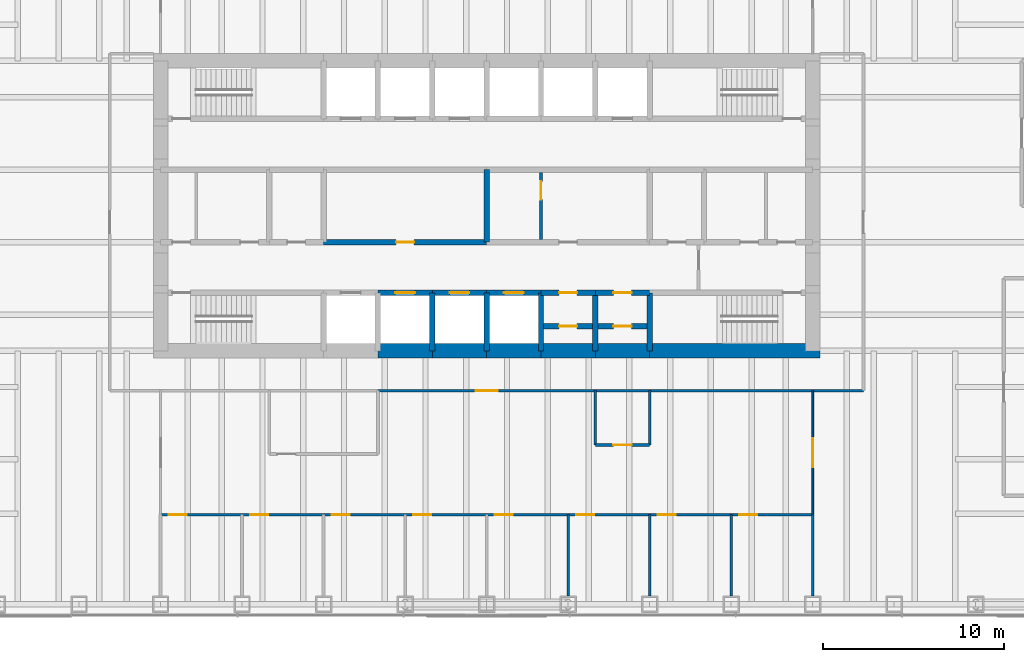
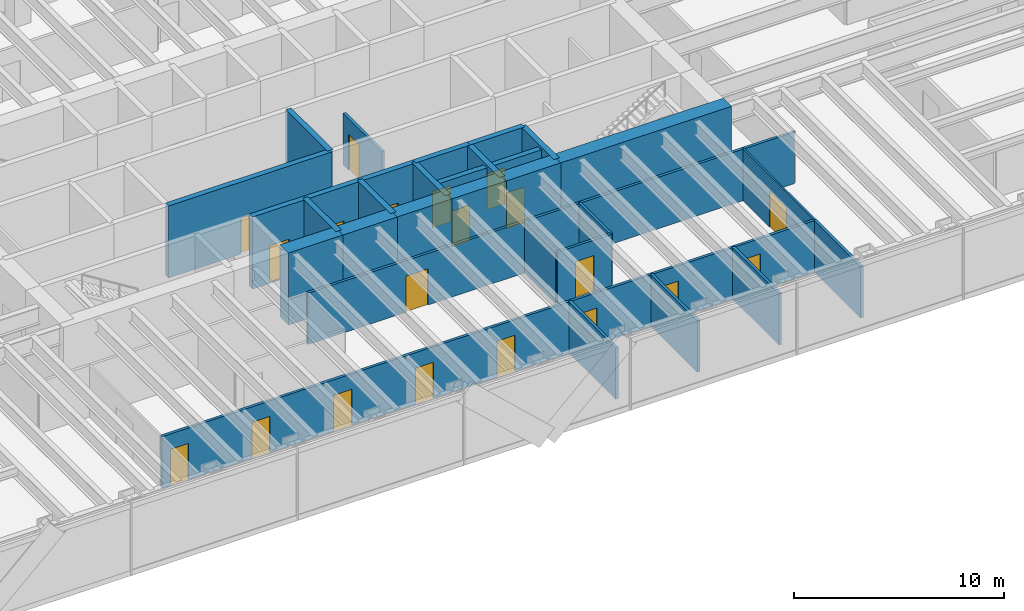
# One storey, part 11 of 15: 31 walls, 20 doors, 20 openings.
"""IFC4 building model written with IfcOpenShell, lengths in metres."""

from ifc_helpers import new_model, si_unit, direction, frame, frame_2d, origin, place, context, subcontext, project, spatial, rectangle, extrude, material, layer, layer_set, type_object, element, fill, save


model = new_model("IFC4")

# Units and contexts
model_context = context("Model", 3, precision=1e-05, world=origin(), true_north=direction((0.0, 1.0)))
body_context = subcontext(model_context, "Body", "Model", "MODEL_VIEW")
ifc_project = project(units=[si_unit("LENGTHUNIT", "METRE"), si_unit("AREAUNIT", "SQUARE_METRE"), si_unit("VOLUMEUNIT", "CUBIC_METRE"), si_unit("PLANEANGLEUNIT", "RADIAN"), si_unit("MASSUNIT", "GRAM", prefix="KILO")], contexts=[model_context])

# Site, building, storey
site_placement = place(None, origin())
site = spatial("IfcSite", under=ifc_project, at=site_placement, CompositionType="ELEMENT")
building_placement = place(site_placement, origin())
building = spatial("IfcBuilding", under=site, at=building_placement, Name="Rheinbord Bourse Tower", CompositionType="ELEMENT")
storey_placement = place(building_placement, frame((0.0, 0.0, 215.199951171875)))
storey = spatial("IfcBuildingStorey", under=building, at=storey_placement, Name="L48", CompositionType="ELEMENT", Elevation=215.199951171875)

# Wall, opening, door
ifc_material_1 = material(Name="Concrete C50/60", Category="concrete")
ifc_layer_1 = layer(ifc_material_1, 0.300048828125)
ifc_layer_set_1 = layer_set([ifc_layer_1], Name="CORE INNER WALL 300")
wall_type_1 = type_object("IfcWallType", Name="CORE INNER WALL 300", PredefinedType="SOLIDWALL", material=ifc_layer_set_1)
wall_1_placement = place(storey_placement, frame((30.0, 19.199951171875, 0.0), z_axis=(0.0, 0.0, 1.0), x_axis=(1.0, 0.0, 0.0)))
wall_1 = element("IfcWall", 1, at=wall_1_placement, inside=storey, type_object=wall_type_1, Name="Core wall A3 L48", PredefinedType="SOLIDWALL", context=body_context, shape_type="SweptSolid", body=[
    extrude(rectangle(XDim=3.0, YDim=0.300048828125, at=frame_2d((1.5, 0.0))), origin(), (0.0, 0.0, 1.0), 4.199951171875),
])
opening_1_placement = place(wall_1_placement, frame((0.949951171875, 0.0, 0.0)))
opening_1 = element("IfcOpeningElement", 2, at=opening_1_placement, cuts=wall_1, Name="Opening PC1", PredefinedType="OPENING", context=body_context, shape_type="SweptSolid", body=[
    extrude(rectangle(XDim=1.10009765625, YDim=2.199951171875, at=frame_2d((0.550048828125, 1.10009765625))), frame((0.0, 0.159912109375, 0.0), z_axis=(0.0, -1.0, 0.0), x_axis=(1.0, 0.0, 0.0)), (0.0, 0.0, 1.0), 0.320068359375),
])
ifc_material_2 = material(Name="Steel landing door", Category="steel")
door_type_1 = type_object("IfcDoorType", Name="LIFT LANDING DOOR 1100", OperationType="DOUBLE_DOOR_SLIDING", PredefinedType="USERDEFINED", material=ifc_material_2)
door_1_placement = place(opening_1_placement, origin())
door_1 = element("IfcDoor", 3, at=door_1_placement, inside=storey, type_object=door_type_1, Name="Lift landing door PC1 L48", ObjectType="LIFT LANDING DOOR", OperationType="DOUBLE_DOOR_SLIDING", OverallHeight=2.199951171875, OverallWidth=1.10009765625, PredefinedType="USERDEFINED", context=body_context, shape_type="SweptSolid", body=[
    extrude(rectangle(XDim=1.10009765625, YDim=2.199951171875, at=frame_2d((0.550048828125, 1.10009765625))), frame((0.0, 0.02490234375, 0.0), z_axis=(0.0, -1.0, 0.0), x_axis=(1.0, 0.0, 0.0)), (0.0, 0.0, 1.0), 0.050048828125),
])
fill(opening_1, door_1)

wall_2_placement = place(storey_placement, frame((33.0, 19.199951171875, 0.0), z_axis=(0.0, 0.0, 1.0), x_axis=(1.0, 0.0, 0.0)))
wall_2 = element("IfcWall", 4, at=wall_2_placement, inside=storey, type_object=wall_type_1, Name="Core wall A4 L48", PredefinedType="SOLIDWALL", context=body_context, shape_type="SweptSolid", body=[
    extrude(rectangle(XDim=3.0, YDim=0.300048828125, at=frame_2d((1.5, 0.0))), origin(), (0.0, 0.0, 1.0), 4.199951171875),
])
opening_2_placement = place(wall_2_placement, frame((0.949951171875, 0.0, 0.0)))
opening_2 = element("IfcOpeningElement", 5, at=opening_2_placement, cuts=wall_2, Name="Opening PC2", PredefinedType="OPENING", context=body_context, shape_type="SweptSolid", body=[
    extrude(rectangle(XDim=1.10009765625, YDim=2.199951171875, at=frame_2d((0.550048828125, 1.10009765625))), frame((0.0, 0.159912109375, 0.0), z_axis=(0.0, -1.0, 0.0), x_axis=(1.0, 0.0, 0.0)), (0.0, 0.0, 1.0), 0.320068359375),
])
door_2_placement = place(opening_2_placement, origin())
door_2 = element("IfcDoor", 6, at=door_2_placement, inside=storey, type_object=door_type_1, Name="Lift landing door PC2 L48", ObjectType="LIFT LANDING DOOR", OperationType="DOUBLE_DOOR_SLIDING", OverallHeight=2.199951171875, OverallWidth=1.10009765625, PredefinedType="USERDEFINED", context=body_context, shape_type="SweptSolid", body=[
    extrude(rectangle(XDim=1.10009765625, YDim=2.199951171875, at=frame_2d((0.550048828125, 1.10009765625))), frame((0.0, 0.02490234375, 0.0), z_axis=(0.0, -1.0, 0.0), x_axis=(1.0, 0.0, 0.0)), (0.0, 0.0, 1.0), 0.050048828125),
])
fill(opening_2, door_2)

wall_3_placement = place(storey_placement, frame((36.0, 19.199951171875, 0.0), z_axis=(0.0, 0.0, 1.0), x_axis=(1.0, 0.0, 0.0)))
wall_3 = element("IfcWall", 7, at=wall_3_placement, inside=storey, type_object=wall_type_1, Name="Core wall A5 L48", PredefinedType="SOLIDWALL", context=body_context, shape_type="SweptSolid", body=[
    extrude(rectangle(XDim=3.0, YDim=0.300048828125, at=frame_2d((1.5, 0.0))), origin(), (0.0, 0.0, 1.0), 4.199951171875),
])
opening_3_placement = place(wall_3_placement, frame((0.949951171875, 0.0, 0.0)))
opening_3 = element("IfcOpeningElement", 8, at=opening_3_placement, cuts=wall_3, Name="Opening PC3", PredefinedType="OPENING", context=body_context, shape_type="SweptSolid", body=[
    extrude(rectangle(XDim=1.10009765625, YDim=2.199951171875, at=frame_2d((0.550048828125, 1.10009765625))), frame((0.0, 0.159912109375, 0.0), z_axis=(0.0, -1.0, 0.0), x_axis=(1.0, 0.0, 0.0)), (0.0, 0.0, 1.0), 0.320068359375),
])
door_3_placement = place(opening_3_placement, origin())
door_3 = element("IfcDoor", 9, at=door_3_placement, inside=storey, type_object=door_type_1, Name="Lift landing door PC3 L48", ObjectType="LIFT LANDING DOOR", OperationType="DOUBLE_DOOR_SLIDING", OverallHeight=2.199951171875, OverallWidth=1.10009765625, PredefinedType="USERDEFINED", context=body_context, shape_type="SweptSolid", body=[
    extrude(rectangle(XDim=1.10009765625, YDim=2.199951171875, at=frame_2d((0.550048828125, 1.10009765625))), frame((0.0, 0.02490234375, 0.0), z_axis=(0.0, -1.0, 0.0), x_axis=(1.0, 0.0, 0.0)), (0.0, 0.0, 1.0), 0.050048828125),
])
fill(opening_3, door_3)

wall_4_placement = place(storey_placement, frame((39.0, 19.199951171875, 0.0), z_axis=(0.0, 0.0, 1.0), x_axis=(1.0, 0.0, 0.0)))
wall_4 = element("IfcWall", 10, at=wall_4_placement, inside=storey, type_object=wall_type_1, Name="Core wall A6 L48", PredefinedType="SOLIDWALL", context=body_context, shape_type="SweptSolid", body=[
    extrude(rectangle(XDim=3.0, YDim=0.300048828125, at=frame_2d((1.5, 0.0))), origin(), (0.0, 0.0, 1.0), 4.199951171875),
])
opening_4_placement = place(wall_4_placement, frame((1.0, 0.0, 0.0)))
opening_4 = element("IfcOpeningElement", 11, at=opening_4_placement, cuts=wall_4, Name="Opening 48R8", PredefinedType="OPENING", context=body_context, shape_type="SweptSolid", body=[
    extrude(rectangle(XDim=1.0, YDim=2.10009765625, at=frame_2d((0.5, 1.050048828125))), frame((0.0, 0.159912109375, 0.0), z_axis=(0.0, -1.0, 0.0), x_axis=(1.0, 0.0, 0.0)), (0.0, 0.0, 1.0), 0.320068359375),
])
ifc_material_3 = material(Name="Steel door", Category="steel")
door_type_2 = type_object("IfcDoorType", Name="DOOR 1000 EI30", OperationType="SINGLE_SWING_LEFT", PredefinedType="DOOR", material=ifc_material_3)
door_4_placement = place(opening_4_placement, origin())
door_4 = element("IfcDoor", 12, at=door_4_placement, inside=storey, type_object=door_type_2, Name="Store door L48", OperationType="SINGLE_SWING_LEFT", OverallHeight=2.10009765625, OverallWidth=1.0, PredefinedType="DOOR", context=body_context, shape_type="SweptSolid", body=[
    extrude(rectangle(XDim=1.0, YDim=2.10009765625, at=frame_2d((0.5, 1.050048828125))), frame((0.0, 0.02490234375, 0.0), z_axis=(0.0, -1.0, 0.0), x_axis=(1.0, 0.0, 0.0)), (0.0, 0.0, 1.0), 0.050048828125),
])
fill(opening_4, door_4)

wall_5_placement = place(storey_placement, frame((42.0, 19.199951171875, 0.0), z_axis=(0.0, 0.0, 1.0), x_axis=(1.0, 0.0, 0.0)))
wall_5 = element("IfcWall", 13, at=wall_5_placement, inside=storey, type_object=wall_type_1, Name="Core wall A7 L48", PredefinedType="SOLIDWALL", context=body_context, shape_type="SweptSolid", body=[
    extrude(rectangle(XDim=3.0, YDim=0.300048828125, at=frame_2d((1.5, 0.0))), origin(), (0.0, 0.0, 1.0), 4.199951171875),
])
opening_5_placement = place(wall_5_placement, frame((1.0, 0.0, 0.0)))
opening_5 = element("IfcOpeningElement", 14, at=opening_5_placement, cuts=wall_5, Name="Opening 48R9", PredefinedType="OPENING", context=body_context, shape_type="SweptSolid", body=[
    extrude(rectangle(XDim=1.0, YDim=2.10009765625, at=frame_2d((0.5, 1.050048828125))), frame((0.0, 0.159912109375, 0.0), z_axis=(0.0, -1.0, 0.0), x_axis=(1.0, 0.0, 0.0)), (0.0, 0.0, 1.0), 0.320068359375),
])
door_5_placement = place(opening_5_placement, origin())
door_5 = element("IfcDoor", 15, at=door_5_placement, inside=storey, type_object=door_type_2, Name="Archive store door L48", OperationType="SINGLE_SWING_LEFT", OverallHeight=2.10009765625, OverallWidth=1.0, PredefinedType="DOOR", context=body_context, shape_type="SweptSolid", body=[
    extrude(rectangle(XDim=1.0, YDim=2.10009765625, at=frame_2d((0.5, 1.050048828125))), frame((0.0, 0.02490234375, 0.0), z_axis=(0.0, -1.0, 0.0), x_axis=(1.0, 0.0, 0.0)), (0.0, 0.0, 1.0), 0.050048828125),
])
fill(opening_5, door_5)

wall_6_placement = place(storey_placement, frame((27.0, 22.0, 0.0), z_axis=(0.0, 0.0, 1.0), x_axis=(1.0, 0.0, 0.0)))
wall_6 = element("IfcWall", 16, at=wall_6_placement, inside=storey, type_object=wall_type_1, Name="Core wall C3 L48", PredefinedType="SOLIDWALL", context=body_context, shape_type="SweptSolid", body=[
    extrude(rectangle(XDim=9.0, YDim=0.300048828125, at=frame_2d((4.5, 0.0))), origin(), (0.0, 0.0, 1.0), 4.199951171875),
])
opening_6_placement = place(wall_6_placement, frame((4.0, 0.0, 0.0)))
opening_6 = element("IfcOpeningElement", 17, at=opening_6_placement, cuts=wall_6, Name="Opening 48R3", PredefinedType="OPENING", context=body_context, shape_type="SweptSolid", body=[
    extrude(rectangle(XDim=1.0, YDim=2.10009765625, at=frame_2d((0.5, 1.050048828125))), frame((0.0, 0.159912109375, 0.0), z_axis=(0.0, -1.0, 0.0), x_axis=(1.0, 0.0, 0.0)), (0.0, 0.0, 1.0), 0.320068359375),
])
door_6_placement = place(opening_6_placement, origin())
door_6 = element("IfcDoor", 18, at=door_6_placement, inside=storey, type_object=door_type_2, Name="Riser door L48", OperationType="SINGLE_SWING_LEFT", OverallHeight=2.10009765625, OverallWidth=1.0, PredefinedType="DOOR", context=body_context, shape_type="SweptSolid", body=[
    extrude(rectangle(XDim=1.0, YDim=2.10009765625, at=frame_2d((0.5, 1.050048828125))), frame((0.0, 0.02490234375, 0.0), z_axis=(0.0, -1.0, 0.0), x_axis=(1.0, 0.0, 0.0)), (0.0, 0.0, 1.0), 0.050048828125),
])
fill(opening_6, door_6)

# Walls
for number, where, z_axis, x_axis, name in (
    (19, (33.0, 16.0, 0.0), (0.0, 0.0, 1.0), (0.0, 1.0, 0.0), "Core wall SX33 L48"),
    (20, (36.0, 16.0, 0.0), (0.0, 0.0, 1.0), (0.0, 1.0, 0.0), "Core wall SX36 L48"),
    (21, (39.0, 16.0, 0.0), (0.0, 0.0, 1.0), (0.0, 1.0, 0.0), "Core wall SX39 L48"),
    (22, (42.0, 16.0, 0.0), (0.0, 0.0, 1.0), (0.0, 1.0, 0.0), "Core wall SX42 L48"),
    (23, (45.0, 16.0, 0.0), (0.0, 0.0, 1.0), (0.0, 1.0, 0.0), "Core wall SX45 L48"),
):
    element("IfcWall", number, at=place(storey_placement, frame(where, z_axis=z_axis, x_axis=x_axis)), inside=storey, type_object=wall_type_1, Name=name, PredefinedType="SOLIDWALL", context=body_context, shape_type="SweptSolid", body=[
        extrude(rectangle(XDim=3.199951171875, YDim=0.300048828125, at=frame_2d((1.60009765625, 0.0))), origin(), (0.0, 0.0, 1.0), 4.199951171875),
    ])
wall_7_placement = place(storey_placement, frame((36.0, 22.0, 0.0), z_axis=(0.0, 0.0, 1.0), x_axis=(0.0, 1.0, 0.0)))
element("IfcWall", 24, at=wall_7_placement, inside=storey, type_object=wall_type_1, Name="Core wall MX36 L48", PredefinedType="SOLIDWALL", context=body_context, shape_type="SweptSolid", body=[
    extrude(rectangle(XDim=4.0, YDim=0.300048828125, at=frame_2d((2.0, 0.0))), origin(), (0.0, 0.0, 1.0), 4.199951171875),
])

# Wall, opening, door
wall_8_placement = place(storey_placement, frame((39.14990234375, 17.35009765625, 0.0), z_axis=(0.0, 0.0, 1.0), x_axis=(1.0, 0.0, 0.0)))
wall_8 = element("IfcWall", 25, at=wall_8_placement, inside=storey, type_object=wall_type_1, Name="Core riser wall L48-6", PredefinedType="SOLIDWALL", context=body_context, shape_type="SweptSolid", body=[
    extrude(rectangle(XDim=2.7001953125, YDim=0.300048828125, at=frame_2d((1.35009765625, 0.0))), origin(), (0.0, 0.0, 1.0), 4.0400390625),
])
opening_7_placement = place(wall_8_placement, frame((0.85009765625, 0.0, 0.0)))
opening_7 = element("IfcOpeningElement", 26, at=opening_7_placement, cuts=wall_8, Name="Opening 48R12", PredefinedType="OPENING", context=body_context, shape_type="SweptSolid", body=[
    extrude(rectangle(XDim=1.0, YDim=2.10009765625, at=frame_2d((0.5, 1.050048828125))), frame((0.0, 0.159912109375, 0.0), z_axis=(0.0, -1.0, 0.0), x_axis=(1.0, 0.0, 0.0)), (0.0, 0.0, 1.0), 0.320068359375),
])
door_7_placement = place(opening_7_placement, origin())
door_7 = element("IfcDoor", 27, at=door_7_placement, inside=storey, type_object=door_type_2, Name="Comms riser door L48", OperationType="SINGLE_SWING_LEFT", OverallHeight=2.10009765625, OverallWidth=1.0, PredefinedType="DOOR", context=body_context, shape_type="SweptSolid", body=[
    extrude(rectangle(XDim=1.0, YDim=2.10009765625, at=frame_2d((0.5, 1.050048828125))), frame((0.0, 0.02490234375, 0.0), z_axis=(0.0, -1.0, 0.0), x_axis=(1.0, 0.0, 0.0)), (0.0, 0.0, 1.0), 0.050048828125),
])
fill(opening_7, door_7)

wall_9_placement = place(storey_placement, frame((42.14990234375, 17.35009765625, 0.0), z_axis=(0.0, 0.0, 1.0), x_axis=(1.0, 0.0, 0.0)))
wall_9 = element("IfcWall", 28, at=wall_9_placement, inside=storey, type_object=wall_type_1, Name="Core riser wall L48-7", PredefinedType="SOLIDWALL", context=body_context, shape_type="SweptSolid", body=[
    extrude(rectangle(XDim=2.7001953125, YDim=0.300048828125, at=frame_2d((1.35009765625, 0.0))), origin(), (0.0, 0.0, 1.0), 4.0400390625),
])
opening_8_placement = place(wall_9_placement, frame((0.85009765625, 0.0, 0.0)))
opening_8 = element("IfcOpeningElement", 29, at=opening_8_placement, cuts=wall_9, Name="Opening 48R13", PredefinedType="OPENING", context=body_context, shape_type="SweptSolid", body=[
    extrude(rectangle(XDim=1.0, YDim=2.10009765625, at=frame_2d((0.5, 1.050048828125))), frame((0.0, 0.159912109375, 0.0), z_axis=(0.0, -1.0, 0.0), x_axis=(1.0, 0.0, 0.0)), (0.0, 0.0, 1.0), 0.320068359375),
])
door_8_placement = place(opening_8_placement, origin())
door_8 = element("IfcDoor", 30, at=door_8_placement, inside=storey, type_object=door_type_2, Name="Electrical riser door L48", OperationType="SINGLE_SWING_LEFT", OverallHeight=2.10009765625, OverallWidth=1.0, PredefinedType="DOOR", context=body_context, shape_type="SweptSolid", body=[
    extrude(rectangle(XDim=1.0, YDim=2.10009765625, at=frame_2d((0.5, 1.050048828125))), frame((0.0, 0.02490234375, 0.0), z_axis=(0.0, -1.0, 0.0), x_axis=(1.0, 0.0, 0.0)), (0.0, 0.0, 1.0), 0.050048828125),
])
fill(opening_8, door_8)

ifc_material_4 = material(Name="Gypsum board fire partition", Category="gypsum board")
ifc_layer_2 = layer(ifc_material_4, 0.14990234375)
ifc_layer_set_2 = layer_set([ifc_layer_2], Name="CORE PARTITION 150 EI30")
wall_type_2 = type_object("IfcWallType", Name="CORE PARTITION 150 EI30", PredefinedType="PARTITIONING", material=ifc_layer_set_2)
wall_10_placement = place(storey_placement, frame((39.0, 22.14990234375, 0.0), z_axis=(0.0, 0.0, 1.0), x_axis=(0.0, 1.0, 0.0)))
wall_10 = element("IfcWall", 31, at=wall_10_placement, inside=storey, type_object=wall_type_2, Name="Core partition L48-1", PredefinedType="PARTITIONING", context=body_context, shape_type="SweptSolid", body=[
    extrude(rectangle(XDim=3.7001953125, YDim=0.14990234375, at=frame_2d((1.85009765625, 0.0))), origin(), (0.0, 0.0, 1.0), 3.0),
])
opening_9_placement = place(wall_10_placement, frame((2.199951171875, 0.0, 0.0)))
opening_9 = element("IfcOpeningElement", 32, at=opening_9_placement, cuts=wall_10, Name="Opening 48R7", PredefinedType="OPENING", context=body_context, shape_type="SweptSolid", body=[
    extrude(rectangle(XDim=1.0, YDim=2.10009765625, at=frame_2d((0.5, 1.050048828125))), frame((0.0, 0.0849609375, 0.0), z_axis=(0.0, -1.0, 0.0), x_axis=(1.0, 0.0, 0.0)), (0.0, 0.0, 1.0), 0.169921875),
])
door_9_placement = place(opening_9_placement, origin())
door_9 = element("IfcDoor", 33, at=door_9_placement, inside=storey, type_object=door_type_2, Name="Cleaner's store door L48", OperationType="SINGLE_SWING_RIGHT", OverallHeight=2.10009765625, OverallWidth=1.0, PredefinedType="DOOR", context=body_context, shape_type="SweptSolid", body=[
    extrude(rectangle(XDim=1.0, YDim=2.10009765625, at=frame_2d((0.5, 1.050048828125))), frame((0.0, 0.02490234375, 0.0), z_axis=(0.0, -1.0, 0.0), x_axis=(1.0, 0.0, 0.0)), (0.0, 0.0, 1.0), 0.050048828125),
])
fill(opening_9, door_9)

# Walls
ifc_material_5 = material(Name="Concrete C50/60", Category="concrete")
ifc_layer_3 = layer(ifc_material_5, 0.800048828125)
ifc_layer_set_3 = layer_set([ifc_layer_3], Name="CORE WALL 800")
wall_type_3 = type_object("IfcWallType", Name="CORE WALL 800", PredefinedType="SHEAR", material=ifc_layer_set_3)
for number, where, z_axis, x_axis, name in (
    (34, (30.0, 16.0, 0.0), (0.0, 0.0, 1.0), (1.0, 0.0, 0.0), "Core wall S3 L48"),
    (35, (33.0, 16.0, 0.0), (0.0, 0.0, 1.0), (1.0, 0.0, 0.0), "Core wall S4 L48"),
    (36, (36.0, 16.0, 0.0), (0.0, 0.0, 1.0), (1.0, 0.0, 0.0), "Core wall S5 L48"),
    (37, (39.0, 16.0, 0.0), (0.0, 0.0, 1.0), (1.0, 0.0, 0.0), "Core wall S6 L48"),
    (38, (42.0, 16.0, 0.0), (0.0, 0.0, 1.0), (1.0, 0.0, 0.0), "Core wall S7 L48"),
):
    element("IfcWall", number, at=place(storey_placement, frame(where, z_axis=z_axis, x_axis=x_axis)), inside=storey, type_object=wall_type_3, Name=name, PredefinedType="SHEAR", context=body_context, shape_type="SweptSolid", body=[
        extrude(rectangle(XDim=3.0, YDim=0.800048828125, at=frame_2d((1.5, 0.0))), origin(), (0.0, 0.0, 1.0), 4.199951171875),
    ])
wall_11_placement = place(storey_placement, frame((45.0, 16.0, 0.0), z_axis=(0.0, 0.0, 1.0), x_axis=(1.0, 0.0, 0.0)))
element("IfcWall", 39, at=wall_11_placement, inside=storey, type_object=wall_type_3, Name="Core wall S8 L48", PredefinedType="SHEAR", context=body_context, shape_type="SweptSolid", body=[
    extrude(rectangle(XDim=9.39990234375, YDim=0.800048828125, at=frame_2d((4.699951171875, 0.0))), origin(), (0.0, 0.0, 1.0), 4.199951171875),
])

# Wall, opening, door
ifc_material_6 = material(Name="Gypsum board corridor partition", Category="gypsum board")
ifc_layer_4 = layer(ifc_material_6, 0.14990234375)
ifc_layer_set_4 = layer_set([ifc_layer_4], Name="CORRIDOR PARTITION 150 EI30")
wall_type_4 = type_object("IfcWallType", Name="CORRIDOR PARTITION 150 EI30", PredefinedType="PARTITIONING", material=ifc_layer_set_4)
wall_12_placement = place(storey_placement, frame((30.0, 13.800048828125, 0.0), z_axis=(0.0, 0.0, 1.0), x_axis=(1.0, 0.0, 0.0)))
wall_12 = element("IfcWall", 40, at=wall_12_placement, inside=storey, type_object=wall_type_4, Name="Partition L48-08", PredefinedType="PARTITIONING", context=body_context, shape_type="SweptSolid", body=[
    extrude(rectangle(XDim=26.800048828125, YDim=0.14990234375, at=frame_2d((13.39990234375, 0.0))), origin(), (0.0, 0.0, 1.0), 3.0),
])
opening_10_placement = place(wall_12_placement, frame((5.39990234375, 0.0, 0.0)))
opening_10 = element("IfcOpeningElement", 41, at=opening_10_placement, cuts=wall_12, Name="Opening 48D29", PredefinedType="OPENING", context=body_context, shape_type="SweptSolid", body=[
    extrude(rectangle(XDim=1.199951171875, YDim=2.10009765625, at=frame_2d((0.60009765625, 1.050048828125))), frame((0.0, 0.0849609375, 0.0), z_axis=(0.0, -1.0, 0.0), x_axis=(1.0, 0.0, 0.0)), (0.0, 0.0, 1.0), 0.169921875),
])
ifc_material_7 = material(Name="Timber fire door", Category="wood")
door_type_3 = type_object("IfcDoorType", Name="SUITE ENTRANCE DOOR 1200 EI30", OperationType="SINGLE_SWING_LEFT", PredefinedType="DOOR", material=ifc_material_7)
door_10_placement = place(opening_10_placement, origin())
door_10 = element("IfcDoor", 42, at=door_10_placement, inside=storey, type_object=door_type_3, Name="Suite entrance 3 door L48", OperationType="SINGLE_SWING_LEFT", OverallHeight=2.10009765625, OverallWidth=1.199951171875, PredefinedType="DOOR", context=body_context, shape_type="SweptSolid", body=[
    extrude(rectangle(XDim=1.199951171875, YDim=2.10009765625, at=frame_2d((0.60009765625, 1.050048828125))), frame((0.0, 0.02490234375, 0.0), z_axis=(0.0, -1.0, 0.0), x_axis=(1.0, 0.0, 0.0)), (0.0, 0.0, 1.0), 0.050048828125),
])
fill(opening_10, door_10)

ifc_material_8 = material(Name="Toughened laminated glass partition", Category="glass")
ifc_layer_5 = layer(ifc_material_8, 0.10009765625)
ifc_layer_set_5 = layer_set([ifc_layer_5], Name="GLAZED PARTITION 100")
wall_type_5 = type_object("IfcWallType", Name="GLAZED PARTITION 100", PredefinedType="PARTITIONING", material=ifc_layer_set_5)
wall_13_placement = place(storey_placement, frame((54.0, 6.949951171875, 0.0), z_axis=(0.0, 0.0, 1.0), x_axis=(0.0, 1.0, 0.0)))
wall_13 = element("IfcWall", 43, at=wall_13_placement, inside=storey, type_object=wall_type_5, Name="Partition L48-41", PredefinedType="PARTITIONING", context=body_context, shape_type="SweptSolid", body=[
    extrude(rectangle(XDim=6.85009765625, YDim=0.10009765625, at=frame_2d((3.425048828125, 0.0))), origin(), (0.0, 0.0, 1.0), 3.0),
])
opening_11_placement = place(wall_13_placement, frame((2.625, 0.0, 0.0)))
opening_11 = element("IfcOpeningElement", 44, at=opening_11_placement, cuts=wall_13, Name="Opening 48D25", PredefinedType="OPENING", context=body_context, shape_type="SweptSolid", body=[
    extrude(rectangle(XDim=1.60009765625, YDim=2.10009765625, at=frame_2d((0.800048828125, 1.050048828125))), frame((0.0, 0.06005859375, 0.0), z_axis=(0.0, -1.0, 0.0), x_axis=(1.0, 0.0, 0.0)), (0.0, 0.0, 1.0), 0.1201171875),
])
ifc_material_9 = material(Name="Timber door", Category="wood")
door_type_4 = type_object("IfcDoorType", Name="DOUBLE ROOM DOOR 1600", OperationType="DOUBLE_DOOR_DOUBLE_SWING", PredefinedType="DOOR", material=ifc_material_9)
door_11_placement = place(opening_11_placement, origin())
door_11 = element("IfcDoor", 45, at=door_11_placement, inside=storey, type_object=door_type_4, Name="Open area door L48", OperationType="SINGLE_SWING_LEFT", OverallHeight=2.10009765625, OverallWidth=1.60009765625, PredefinedType="DOOR", context=body_context, shape_type="SweptSolid", body=[
    extrude(rectangle(XDim=1.60009765625, YDim=2.10009765625, at=frame_2d((0.800048828125, 1.050048828125))), frame((0.0, 0.02490234375, 0.0), z_axis=(0.0, -1.0, 0.0), x_axis=(1.0, 0.0, 0.0)), (0.0, 0.0, 1.0), 0.050048828125),
])
fill(opening_11, door_11)

# Wall, openings, doors
ifc_material_10 = material(Name="Gypsum board partition", Category="gypsum board")
ifc_layer_6 = layer(ifc_material_10, 0.14990234375)
ifc_layer_set_6 = layer_set([ifc_layer_6], Name="PARTITION 150")
wall_type_6 = type_object("IfcWallType", Name="PARTITION 150", PredefinedType="PARTITIONING", material=ifc_layer_set_6)
wall_14_placement = place(storey_placement, frame((18.0, 6.949951171875, 0.0), z_axis=(0.0, 0.0, 1.0), x_axis=(1.0, 0.0, 0.0)))
wall_14 = element("IfcWall", 46, at=wall_14_placement, inside=storey, type_object=wall_type_6, Name="Partition L48-01", PredefinedType="PARTITIONING", context=body_context, shape_type="SweptSolid", body=[
    extrude(rectangle(XDim=36.0, YDim=0.14990234375, at=frame_2d((18.0, 0.0))), origin(), (0.0, 0.0, 1.0), 3.0),
])
opening_12_placement = place(wall_14_placement, frame((0.449951171875, 0.0, 0.0)))
opening_12 = element("IfcOpeningElement", 47, at=opening_12_placement, cuts=wall_14, Name="Opening 48D01", PredefinedType="OPENING", context=body_context, shape_type="SweptSolid", body=[
    extrude(rectangle(XDim=1.0, YDim=2.10009765625, at=frame_2d((0.5, 1.050048828125))), frame((0.0, 0.0849609375, 0.0), z_axis=(0.0, -1.0, 0.0), x_axis=(1.0, 0.0, 0.0)), (0.0, 0.0, 1.0), 0.169921875),
])
opening_13_placement = place(wall_14_placement, frame((4.949951171875, 0.0, 0.0)))
opening_13 = element("IfcOpeningElement", 48, at=opening_13_placement, cuts=wall_14, Name="Opening 48D02", PredefinedType="OPENING", context=body_context, shape_type="SweptSolid", body=[
    extrude(rectangle(XDim=1.0, YDim=2.10009765625, at=frame_2d((0.5, 1.050048828125))), frame((0.0, 0.0849609375, 0.0), z_axis=(0.0, -1.0, 0.0), x_axis=(1.0, 0.0, 0.0)), (0.0, 0.0, 1.0), 0.169921875),
])
opening_14_placement = place(wall_14_placement, frame((9.449951171875, 0.0, 0.0)))
opening_14 = element("IfcOpeningElement", 49, at=opening_14_placement, cuts=wall_14, Name="Opening 48D03", PredefinedType="OPENING", context=body_context, shape_type="SweptSolid", body=[
    extrude(rectangle(XDim=1.0, YDim=2.10009765625, at=frame_2d((0.5, 1.050048828125))), frame((0.0, 0.0849609375, 0.0), z_axis=(0.0, -1.0, 0.0), x_axis=(1.0, 0.0, 0.0)), (0.0, 0.0, 1.0), 0.169921875),
])
opening_15_placement = place(wall_14_placement, frame((13.949951171875, 0.0, 0.0)))
opening_15 = element("IfcOpeningElement", 50, at=opening_15_placement, cuts=wall_14, Name="Opening 48D04", PredefinedType="OPENING", context=body_context, shape_type="SweptSolid", body=[
    extrude(rectangle(XDim=1.0, YDim=2.10009765625, at=frame_2d((0.5, 1.050048828125))), frame((0.0, 0.0849609375, 0.0), z_axis=(0.0, -1.0, 0.0), x_axis=(1.0, 0.0, 0.0)), (0.0, 0.0, 1.0), 0.169921875),
])
opening_16_placement = place(wall_14_placement, frame((18.449951171875, 0.0, 0.0)))
opening_16 = element("IfcOpeningElement", 51, at=opening_16_placement, cuts=wall_14, Name="Opening 48D05", PredefinedType="OPENING", context=body_context, shape_type="SweptSolid", body=[
    extrude(rectangle(XDim=1.0, YDim=2.10009765625, at=frame_2d((0.5, 1.050048828125))), frame((0.0, 0.0849609375, 0.0), z_axis=(0.0, -1.0, 0.0), x_axis=(1.0, 0.0, 0.0)), (0.0, 0.0, 1.0), 0.169921875),
])
opening_17_placement = place(wall_14_placement, frame((22.949951171875, 0.0, 0.0)))
opening_17 = element("IfcOpeningElement", 52, at=opening_17_placement, cuts=wall_14, Name="Opening 48D06", PredefinedType="OPENING", context=body_context, shape_type="SweptSolid", body=[
    extrude(rectangle(XDim=1.0, YDim=2.10009765625, at=frame_2d((0.5, 1.050048828125))), frame((0.0, 0.0849609375, 0.0), z_axis=(0.0, -1.0, 0.0), x_axis=(1.0, 0.0, 0.0)), (0.0, 0.0, 1.0), 0.169921875),
])
opening_18_placement = place(wall_14_placement, frame((27.449951171875, 0.0, 0.0)))
opening_18 = element("IfcOpeningElement", 53, at=opening_18_placement, cuts=wall_14, Name="Opening 48D07", PredefinedType="OPENING", context=body_context, shape_type="SweptSolid", body=[
    extrude(rectangle(XDim=1.0, YDim=2.10009765625, at=frame_2d((0.5, 1.050048828125))), frame((0.0, 0.0849609375, 0.0), z_axis=(0.0, -1.0, 0.0), x_axis=(1.0, 0.0, 0.0)), (0.0, 0.0, 1.0), 0.169921875),
])
opening_19_placement = place(wall_14_placement, frame((31.949951171875, 0.0, 0.0)))
opening_19 = element("IfcOpeningElement", 54, at=opening_19_placement, cuts=wall_14, Name="Opening 48D08", PredefinedType="OPENING", context=body_context, shape_type="SweptSolid", body=[
    extrude(rectangle(XDim=1.0, YDim=2.10009765625, at=frame_2d((0.5, 1.050048828125))), frame((0.0, 0.0849609375, 0.0), z_axis=(0.0, -1.0, 0.0), x_axis=(1.0, 0.0, 0.0)), (0.0, 0.0, 1.0), 0.169921875),
])
ifc_material_11 = material(Name="Timber door", Category="wood")
door_type_5 = type_object("IfcDoorType", Name="ROOM DOOR 1000", OperationType="SINGLE_SWING_LEFT", PredefinedType="DOOR", material=ifc_material_11)
door_12_placement = place(opening_12_placement, origin())
door_12 = element("IfcDoor", 55, at=door_12_placement, inside=storey, type_object=door_type_5, Name="Office door L48", OperationType="SINGLE_SWING_LEFT", OverallHeight=2.10009765625, OverallWidth=1.0, PredefinedType="DOOR", context=body_context, shape_type="SweptSolid", body=[
    extrude(rectangle(XDim=1.0, YDim=2.10009765625, at=frame_2d((0.5, 1.050048828125))), frame((0.0, 0.02490234375, 0.0), z_axis=(0.0, -1.0, 0.0), x_axis=(1.0, 0.0, 0.0)), (0.0, 0.0, 1.0), 0.050048828125),
])
fill(opening_12, door_12)
door_13_placement = place(opening_13_placement, origin())
door_13 = element("IfcDoor", 56, at=door_13_placement, inside=storey, type_object=door_type_5, Name="Office door L48", OperationType="SINGLE_SWING_LEFT", OverallHeight=2.10009765625, OverallWidth=1.0, PredefinedType="DOOR", context=body_context, shape_type="SweptSolid", body=[
    extrude(rectangle(XDim=1.0, YDim=2.10009765625, at=frame_2d((0.5, 1.050048828125))), frame((0.0, 0.02490234375, 0.0), z_axis=(0.0, -1.0, 0.0), x_axis=(1.0, 0.0, 0.0)), (0.0, 0.0, 1.0), 0.050048828125),
])
fill(opening_13, door_13)
door_14_placement = place(opening_14_placement, origin())
door_14 = element("IfcDoor", 57, at=door_14_placement, inside=storey, type_object=door_type_5, Name="Office door L48", OperationType="SINGLE_SWING_LEFT", OverallHeight=2.10009765625, OverallWidth=1.0, PredefinedType="DOOR", context=body_context, shape_type="SweptSolid", body=[
    extrude(rectangle(XDim=1.0, YDim=2.10009765625, at=frame_2d((0.5, 1.050048828125))), frame((0.0, 0.02490234375, 0.0), z_axis=(0.0, -1.0, 0.0), x_axis=(1.0, 0.0, 0.0)), (0.0, 0.0, 1.0), 0.050048828125),
])
fill(opening_14, door_14)
door_15_placement = place(opening_15_placement, origin())
door_15 = element("IfcDoor", 58, at=door_15_placement, inside=storey, type_object=door_type_5, Name="Office door L48", OperationType="SINGLE_SWING_LEFT", OverallHeight=2.10009765625, OverallWidth=1.0, PredefinedType="DOOR", context=body_context, shape_type="SweptSolid", body=[
    extrude(rectangle(XDim=1.0, YDim=2.10009765625, at=frame_2d((0.5, 1.050048828125))), frame((0.0, 0.02490234375, 0.0), z_axis=(0.0, -1.0, 0.0), x_axis=(1.0, 0.0, 0.0)), (0.0, 0.0, 1.0), 0.050048828125),
])
fill(opening_15, door_15)
door_16_placement = place(opening_16_placement, origin())
door_16 = element("IfcDoor", 59, at=door_16_placement, inside=storey, type_object=door_type_5, Name="Office door L48", OperationType="SINGLE_SWING_RIGHT", OverallHeight=2.10009765625, OverallWidth=1.0, PredefinedType="DOOR", context=body_context, shape_type="SweptSolid", body=[
    extrude(rectangle(XDim=1.0, YDim=2.10009765625, at=frame_2d((0.5, 1.050048828125))), frame((0.0, 0.02490234375, 0.0), z_axis=(0.0, -1.0, 0.0), x_axis=(1.0, 0.0, 0.0)), (0.0, 0.0, 1.0), 0.050048828125),
])
fill(opening_16, door_16)
door_17_placement = place(opening_17_placement, origin())
door_17 = element("IfcDoor", 60, at=door_17_placement, inside=storey, type_object=door_type_5, Name="Office door L48", OperationType="SINGLE_SWING_RIGHT", OverallHeight=2.10009765625, OverallWidth=1.0, PredefinedType="DOOR", context=body_context, shape_type="SweptSolid", body=[
    extrude(rectangle(XDim=1.0, YDim=2.10009765625, at=frame_2d((0.5, 1.050048828125))), frame((0.0, 0.02490234375, 0.0), z_axis=(0.0, -1.0, 0.0), x_axis=(1.0, 0.0, 0.0)), (0.0, 0.0, 1.0), 0.050048828125),
])
fill(opening_17, door_17)
door_18_placement = place(opening_18_placement, origin())
door_18 = element("IfcDoor", 61, at=door_18_placement, inside=storey, type_object=door_type_5, Name="Office door L48", OperationType="SINGLE_SWING_RIGHT", OverallHeight=2.10009765625, OverallWidth=1.0, PredefinedType="DOOR", context=body_context, shape_type="SweptSolid", body=[
    extrude(rectangle(XDim=1.0, YDim=2.10009765625, at=frame_2d((0.5, 1.050048828125))), frame((0.0, 0.02490234375, 0.0), z_axis=(0.0, -1.0, 0.0), x_axis=(1.0, 0.0, 0.0)), (0.0, 0.0, 1.0), 0.050048828125),
])
fill(opening_18, door_18)
door_19_placement = place(opening_19_placement, origin())
door_19 = element("IfcDoor", 62, at=door_19_placement, inside=storey, type_object=door_type_5, Name="Office door L48", OperationType="SINGLE_SWING_RIGHT", OverallHeight=2.10009765625, OverallWidth=1.0, PredefinedType="DOOR", context=body_context, shape_type="SweptSolid", body=[
    extrude(rectangle(XDim=1.0, YDim=2.10009765625, at=frame_2d((0.5, 1.050048828125))), frame((0.0, 0.02490234375, 0.0), z_axis=(0.0, -1.0, 0.0), x_axis=(1.0, 0.0, 0.0)), (0.0, 0.0, 1.0), 0.050048828125),
])
fill(opening_19, door_19)

# Wall, opening, door
wall_15_placement = place(storey_placement, frame((42.0, 10.800048828125, 0.0), z_axis=(0.0, 0.0, 1.0), x_axis=(1.0, 0.0, 0.0)))
wall_15 = element("IfcWall", 63, at=wall_15_placement, inside=storey, type_object=wall_type_6, Name="Partition L48-04", PredefinedType="PARTITIONING", context=body_context, shape_type="SweptSolid", body=[
    extrude(rectangle(XDim=3.0, YDim=0.14990234375, at=frame_2d((1.5, 0.0))), origin(), (0.0, 0.0, 1.0), 3.0),
])
opening_20_placement = place(wall_15_placement, frame((1.0, 0.0, 0.0)))
opening_20 = element("IfcOpeningElement", 64, at=opening_20_placement, cuts=wall_15, Name="Opening 48D10", PredefinedType="OPENING", context=body_context, shape_type="SweptSolid", body=[
    extrude(rectangle(XDim=1.0, YDim=2.10009765625, at=frame_2d((0.5, 1.050048828125))), frame((0.0, 0.0849609375, 0.0), z_axis=(0.0, -1.0, 0.0), x_axis=(1.0, 0.0, 0.0)), (0.0, 0.0, 1.0), 0.169921875),
])
door_20_placement = place(opening_20_placement, origin())
door_20 = element("IfcDoor", 65, at=door_20_placement, inside=storey, type_object=door_type_5, Name="Print room door L48", OperationType="SINGLE_SWING_LEFT", OverallHeight=2.10009765625, OverallWidth=1.0, PredefinedType="DOOR", context=body_context, shape_type="SweptSolid", body=[
    extrude(rectangle(XDim=1.0, YDim=2.10009765625, at=frame_2d((0.5, 1.050048828125))), frame((0.0, 0.02490234375, 0.0), z_axis=(0.0, -1.0, 0.0), x_axis=(1.0, 0.0, 0.0)), (0.0, 0.0, 1.0), 0.050048828125),
])
fill(opening_20, door_20)

# Walls
wall_16_placement = place(storey_placement, frame((40.5, 2.449951171875, 0.0), z_axis=(0.0, 0.0, 1.0), x_axis=(0.0, 1.0, 0.0)))
element("IfcWall", 66, at=wall_16_placement, inside=storey, type_object=wall_type_6, Name="Partition L48-32", PredefinedType="PARTITIONING", context=body_context, shape_type="SweptSolid", body=[
    extrude(rectangle(XDim=4.5, YDim=0.14990234375, at=frame_2d((2.25, 0.0))), origin(), (0.0, 0.0, 1.0), 3.0),
])
wall_17_placement = place(storey_placement, frame((42.0, 10.800048828125, 0.0), z_axis=(0.0, 0.0, 1.0), x_axis=(0.0, 1.0, 0.0)))
element("IfcWall", 67, at=wall_17_placement, inside=storey, type_object=wall_type_6, Name="Partition L48-34", PredefinedType="PARTITIONING", context=body_context, shape_type="SweptSolid", body=[
    extrude(rectangle(XDim=3.0, YDim=0.14990234375, at=frame_2d((1.5, 0.0))), origin(), (0.0, 0.0, 1.0), 3.0),
])
wall_18_placement = place(storey_placement, frame((45.0, 2.449951171875, 0.0), z_axis=(0.0, 0.0, 1.0), x_axis=(0.0, 1.0, 0.0)))
element("IfcWall", 68, at=wall_18_placement, inside=storey, type_object=wall_type_6, Name="Partition L48-35", PredefinedType="PARTITIONING", context=body_context, shape_type="SweptSolid", body=[
    extrude(rectangle(XDim=4.5, YDim=0.14990234375, at=frame_2d((2.25, 0.0))), origin(), (0.0, 0.0, 1.0), 3.0),
])
wall_19_placement = place(storey_placement, frame((45.0, 10.800048828125, 0.0), z_axis=(0.0, 0.0, 1.0), x_axis=(0.0, 1.0, 0.0)))
element("IfcWall", 69, at=wall_19_placement, inside=storey, type_object=wall_type_6, Name="Partition L48-36", PredefinedType="PARTITIONING", context=body_context, shape_type="SweptSolid", body=[
    extrude(rectangle(XDim=3.0, YDim=0.14990234375, at=frame_2d((1.5, 0.0))), origin(), (0.0, 0.0, 1.0), 3.0),
])
for number, where, z_axis, x_axis, name in (
    (70, (49.5, 2.449951171875, 0.0), (0.0, 0.0, 1.0), (0.0, 1.0, 0.0), "Partition L48-38"),
    (71, (54.0, 2.449951171875, 0.0), (0.0, 0.0, 1.0), (0.0, 1.0, 0.0), "Partition L48-40"),
):
    element("IfcWall", number, at=place(storey_placement, frame(where, z_axis=z_axis, x_axis=x_axis)), inside=storey, type_object=wall_type_6, Name=name, PredefinedType="PARTITIONING", context=body_context, shape_type="SweptSolid", body=[
        extrude(rectangle(XDim=4.5, YDim=0.14990234375, at=frame_2d((2.25, 0.0))), origin(), (0.0, 0.0, 1.0), 3.0),
    ])

save(model, "model.ifc")
